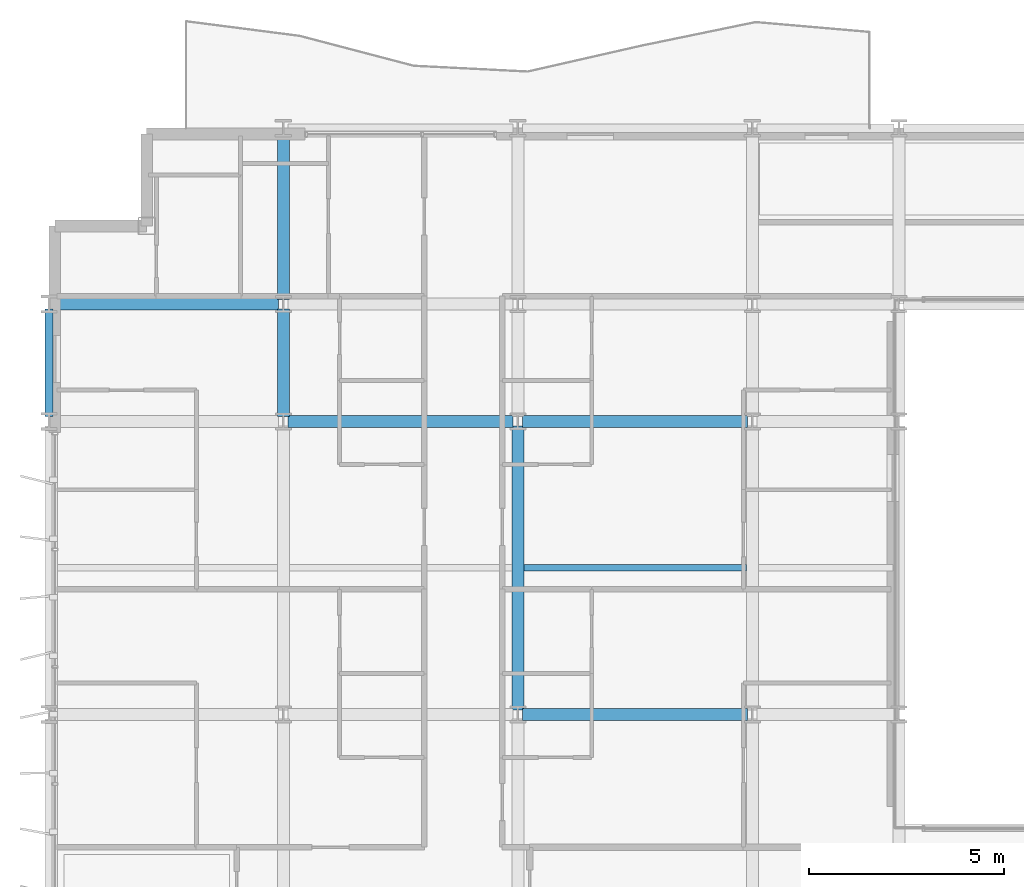
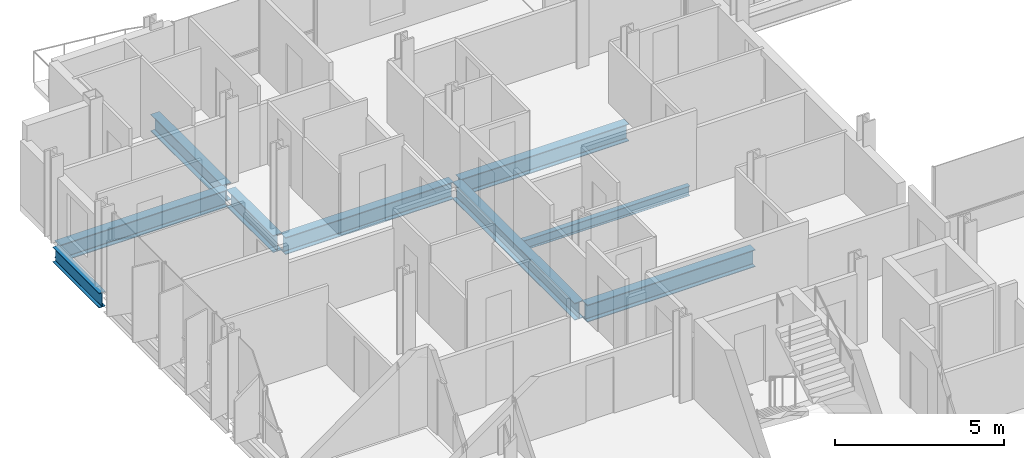
# One storey, part 6 of 39: 9 beams.
"""IFC4 building model written with IfcOpenShell, lengths in metres."""

from ifc_helpers import new_model, si_unit, direction, frame, origin, origin_2d, place, context, subcontext, project, spatial, i_section, extrude, material, material_profile, profile_set, type_object, element, save


model = new_model("IFC4")

# Units and contexts
model_context = context("Model", 3, precision=1e-05, world=origin(), true_north=direction((0.0, 1.0)))
body_context = subcontext(model_context, "Body", "Model", "MODEL_VIEW")
ifc_project = project(units=[si_unit("LENGTHUNIT", "METRE"), si_unit("AREAUNIT", "SQUARE_METRE"), si_unit("VOLUMEUNIT", "CUBIC_METRE"), si_unit("PLANEANGLEUNIT", "RADIAN"), si_unit("MASSUNIT", "GRAM", prefix="KILO")], contexts=[model_context])

# Site, building, storey
site_placement = place(None, origin())
site = spatial("IfcSite", under=ifc_project, at=site_placement, CompositionType="ELEMENT")
building_placement = place(site_placement, origin())
building = spatial("IfcBuilding", under=site, at=building_placement, Name="Brevholm Reach", CompositionType="ELEMENT")
storey_placement = place(building_placement, frame((0.0, 0.0, 77.60009765625)))
storey = spatial("IfcBuildingStorey", under=building, at=storey_placement, Name="L22", CompositionType="ELEMENT", Elevation=77.60009765625)

# Beams
ifc_material_1 = material(Name="Structural Steel S355J2", Category="steel")
ifc_material_profile_1 = material_profile(ifc_material_1, i_section(OverallWidth=0.17138671875, OverallDepth=0.35498046875, WebThickness=0.00732421875, FlangeThickness=0.011474609375, FilletRadius=0.01025390625, at=origin_2d()), Name="UKB 356x171x51")
ifc_profile_set_1 = profile_set([ifc_material_profile_1], Name="Structural Steel S355J2")
beam_type_1 = type_object("IfcBeamType", Name="BM-B356", PredefinedType="BEAM", material=ifc_profile_set_1)
beam_1_placement = place(storey_placement, frame((12.153564453125, 19.75, -0.40771484375), z_axis=(1.0, 0.0, 0.0), x_axis=(0.0, 1.0, 0.0)))
element("IfcBeam", 1, at=beam_1_placement, inside=storey, type_object=beam_type_1, Name="L22 Composite Secondary Floor Beam", PredefinedType="BEAM", context=body_context, shape_type="SweptSolid", body=[
    extrude(i_section(OverallWidth=0.17138671875, OverallDepth=0.35498046875, WebThickness=0.00732421875, FlangeThickness=0.011474609375, FilletRadius=0.01025390625, at=origin_2d()), origin(), (0.0, 0.0, 1.0), 5.69287109375),
])
ifc_material_2 = material(Name="Structural Steel S355J2", Category="steel")
ifc_material_profile_2 = material_profile(ifc_material_2, i_section(OverallWidth=0.210693359375, OverallDepth=0.53955078125, WebThickness=0.01171875, FlangeThickness=0.018798828125, FilletRadius=0.0126953125, at=origin_2d()), Name="UKB 533x210x109")
ifc_profile_set_2 = profile_set([ifc_material_profile_2], Name="Structural Steel S355J2")
beam_type_2 = type_object("IfcBeamType", Name="BM-SP539", PredefinedType="SPANDREL", material=ifc_profile_set_2)
beam_2_placement = place(storey_placement, frame((0.0, 23.6201171875, -0.499755859375), z_axis=(0.0, 1.0, 0.0), x_axis=(-1.0, 0.0, 0.0)))
element("IfcBeam", 2, at=beam_2_placement, inside=storey, type_object=beam_type_2, Name="L22 SP-01B Framing Beam", PredefinedType="SPANDREL", context=body_context, shape_type="SweptSolid", body=[
    extrude(i_section(OverallWidth=0.210693359375, OverallDepth=0.53955078125, WebThickness=0.01171875, FlangeThickness=0.018798828125, FilletRadius=0.0126953125, at=origin_2d()), origin(), (0.0, 0.0, 1.0), 2.759765625),
])
ifc_material_3 = material(Name="Structural Steel S355J2", Category="steel")
ifc_material_profile_3 = material_profile(ifc_material_3, i_section(OverallWidth=0.30712890625, OverallDepth=0.6201171875, WebThickness=0.01416015625, FlangeThickness=0.023681640625, FilletRadius=0.0166015625, at=origin_2d()), Name="UKB 610x305x179")
ifc_profile_set_3 = profile_set([ifc_material_profile_3], Name="Structural Steel S355J2")
beam_type_3 = type_object("IfcBeamType", Name="BM-UKB610H", PredefinedType="USERDEFINED", material=ifc_profile_set_3)
for number, where, z_axis, x_axis, name in (
    (3, (12.1201171875, 16.0, -0.540283203125), (1.0, 0.0, 0.0), (0.0, 1.0, 0.0), "L22 G-06 Framing Beam"),
    (4, (6.1201171875, 23.5, -0.540283203125), (1.0, 0.0, 0.0), (0.0, 1.0, 0.0), "L22 G-06 Framing Beam"),
    (5, (12.1201171875, 23.5, -0.540283203125), (1.0, 0.0, 0.0), (0.0, 1.0, 0.0), "L22 G-06 Framing Beam"),
    (6, (0.1201171875, 26.5, -0.540283203125), (1.0, 0.0, 0.0), (0.0, 1.0, 0.0), "L22 G-06 Framing Beam"),
):
    element("IfcBeam", number, at=place(storey_placement, frame(where, z_axis=z_axis, x_axis=x_axis)), inside=storey, type_object=beam_type_3, Name=name, ObjectType="GIRDER", PredefinedType="USERDEFINED", context=body_context, shape_type="SweptSolid", body=[
        extrude(i_section(OverallWidth=0.30712890625, OverallDepth=0.6201171875, WebThickness=0.01416015625, FlangeThickness=0.023681640625, FilletRadius=0.0166015625, at=origin_2d()), origin(), (0.0, 0.0, 1.0), 5.759765625),
    ])
beam_3_placement = place(storey_placement, frame((6.0, 23.6201171875, -0.540283203125), z_axis=(0.0, 1.0, 0.0), x_axis=(-1.0, 0.0, 0.0)))
element("IfcBeam", 7, at=beam_3_placement, inside=storey, type_object=beam_type_3, Name="L22 G-06 Framing Beam", ObjectType="GIRDER", PredefinedType="USERDEFINED", context=body_context, shape_type="SweptSolid", body=[
    extrude(i_section(OverallWidth=0.30712890625, OverallDepth=0.6201171875, WebThickness=0.01416015625, FlangeThickness=0.023681640625, FilletRadius=0.0166015625, at=origin_2d()), origin(), (0.0, 0.0, 1.0), 2.759765625),
])
beam_4_placement = place(storey_placement, frame((6.0, 26.6201171875, -0.540283203125), z_axis=(0.0, 1.0, 0.0), x_axis=(-1.0, 0.0, 0.0)))
element("IfcBeam", 8, at=beam_4_placement, inside=storey, type_object=beam_type_3, Name="L22 G-06 Framing Beam", ObjectType="GIRDER", PredefinedType="USERDEFINED", context=body_context, shape_type="SweptSolid", body=[
    extrude(i_section(OverallWidth=0.30712890625, OverallDepth=0.6201171875, WebThickness=0.01416015625, FlangeThickness=0.023681640625, FilletRadius=0.0166015625, at=origin_2d()), origin(), (0.0, 0.0, 1.0), 4.259765625),
])
beam_5_placement = place(storey_placement, frame((12.0, 16.1201171875, -0.540283203125), z_axis=(0.0, 1.0, 0.0), x_axis=(-1.0, 0.0, 0.0)))
element("IfcBeam", 9, at=beam_5_placement, inside=storey, type_object=beam_type_3, Name="L22 G-06 Framing Beam", ObjectType="GIRDER", PredefinedType="USERDEFINED", context=body_context, shape_type="SweptSolid", body=[
    extrude(i_section(OverallWidth=0.30712890625, OverallDepth=0.6201171875, WebThickness=0.01416015625, FlangeThickness=0.023681640625, FilletRadius=0.0166015625, at=origin_2d()), origin(), (0.0, 0.0, 1.0), 7.259765625),
])

save(model, "model.ifc")
